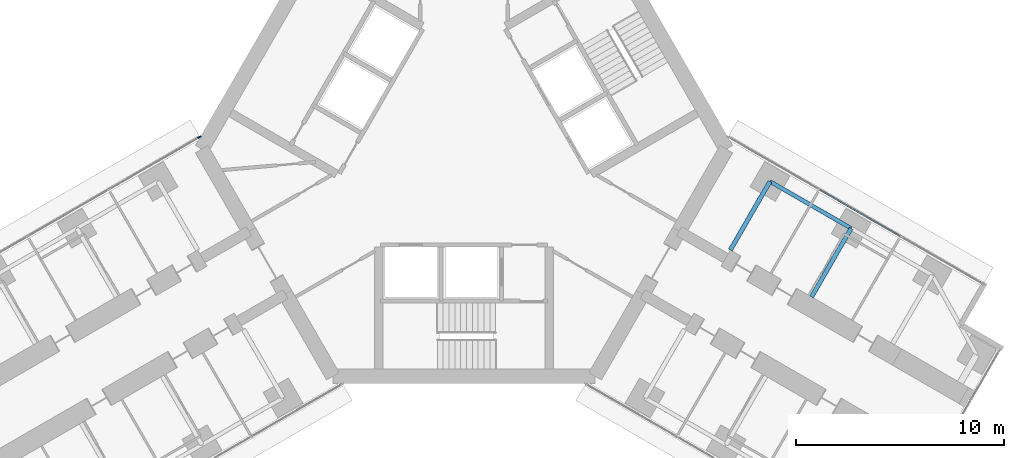
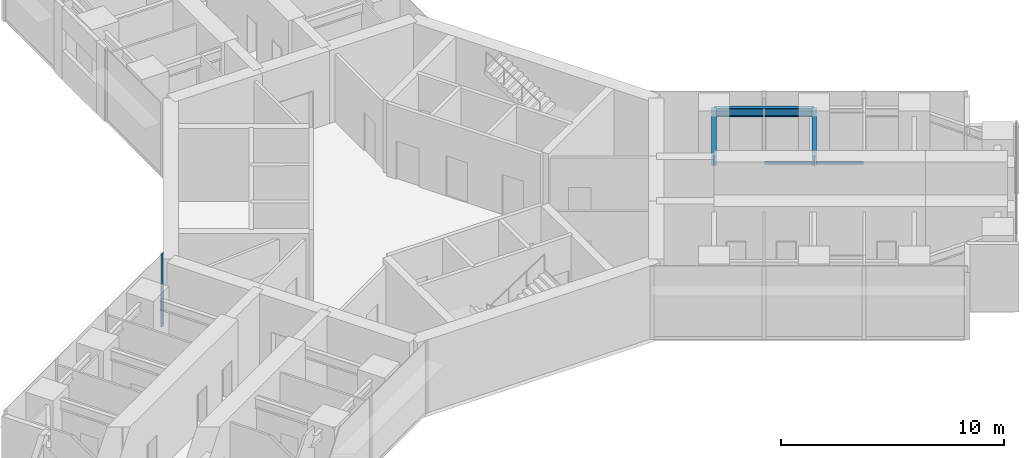
# One storey, part 10 of 25: 3 beams, 2 members, 2 elements without a shape of their own.
"""IFC4 building model written with IfcOpenShell, lengths in metres."""

from ifc_helpers import new_model, si_unit, direction, frame, origin, origin_2d, place, context, subcontext, project, spatial, rectangle, i_section, extrude, material, material_profile, profile_set, type_object, element, aggregate, save


model = new_model("IFC4")

# Units and contexts
model_context = context("Model", 3, precision=1e-05, world=origin(), true_north=direction((0.0, 1.0)))
body_context = subcontext(model_context, "Body", "Model", "MODEL_VIEW")
ifc_project = project(units=[si_unit("LENGTHUNIT", "METRE"), si_unit("AREAUNIT", "SQUARE_METRE"), si_unit("VOLUMEUNIT", "CUBIC_METRE"), si_unit("PLANEANGLEUNIT", "RADIAN"), si_unit("MASSUNIT", "GRAM", prefix="KILO")], contexts=[model_context])

# Site, building, storey
site_placement = place(None, origin())
site = spatial("IfcSite", under=ifc_project, at=site_placement, CompositionType="ELEMENT")
building_placement = place(site_placement, origin())
building = spatial("IfcBuilding", under=site, at=building_placement, Name="Upepo Twin Towers", CompositionType="ELEMENT")
storey_placement = place(building_placement, frame((0.0, 0.0, 88.5)))
storey = spatial("IfcBuildingStorey", under=building, at=storey_placement, Name="L21", CompositionType="ELEMENT", Elevation=88.5)

# Beams
ifc_material_1 = material(Name="Steel S355", Category="steel")
ifc_material_profile_1 = material_profile(ifc_material_1, i_section(OverallWidth=0.1904296875, OverallDepth=0.45703125, WebThickness=0.009033203125, FlangeThickness=0.014404296875, FilletRadius=0.01025390625, at=origin_2d()), Name="UB 457x191x74")
ifc_profile_set_1 = profile_set([ifc_material_profile_1], Name="Steel S355")
beam_type_1 = type_object("IfcBeamType", Name="Beam UB 457x191x74", PredefinedType="BEAM", material=ifc_profile_set_1)
beam_1_placement = place(storey_placement, frame((73.19140625, -19.553955078125, 3.471435546875), z_axis=(0.866017533419, -0.500013631625, 0.0), x_axis=(0.500013631625, 0.866017533419, 0.0)))
element("IfcBeam", 1, at=beam_1_placement, inside=storey, type_object=beam_type_1, Name="T2 edge beam CL 13.5-18.0", PredefinedType="BEAM", context=body_context, shape_type="SweptSolid", body=[
    extrude(i_section(OverallWidth=0.1904296875, OverallDepth=0.45703125, WebThickness=0.009033203125, FlangeThickness=0.014404296875, FilletRadius=0.01025390625, at=origin_2d()), origin(), (0.0, 0.0, 1.0), 4.499755859375),
])
ifc_material_2 = material(Name="Steel S355", Category="steel")
ifc_material_profile_2 = material_profile(ifc_material_2, i_section(OverallWidth=0.209228515625, OverallDepth=0.533203125, WebThickness=0.010009765625, FlangeThickness=0.015625, FilletRadius=0.0126953125, at=origin_2d()), Name="UB 533x210x92")
ifc_profile_set_2 = profile_set([ifc_material_profile_2], Name="Steel S355")
beam_type_2 = type_object("IfcBeamType", Name="Beam UB 533x210x92", PredefinedType="BEAM", material=ifc_profile_set_2)
beam_2_placement = place(storey_placement, frame((73.19140625, -19.553955078125, 3.433349609375), z_axis=(-0.500043160704, -0.866000483506, 0.0), x_axis=(0.866000483506, -0.500043160704, 0.0)))
element("IfcBeam", 2, at=beam_2_placement, inside=storey, type_object=beam_type_2, Name="T2 girder CL at 13.5", PredefinedType="BEAM", context=body_context, shape_type="SweptSolid", body=[
    extrude(i_section(OverallWidth=0.209228515625, OverallDepth=0.533203125, WebThickness=0.010009765625, FlangeThickness=0.015625, FilletRadius=0.0126953125, at=origin_2d()), origin(), (0.0, 0.0, 1.0), 3.800048828125),
])
beam_3_placement = place(storey_placement, frame((77.08837890625, -21.803955078125, 3.433349609375), z_axis=(-0.499994975061, -0.866028304915, 0.0), x_axis=(0.866028304915, -0.499994975061, 0.0)))
element("IfcBeam", 3, at=beam_3_placement, inside=storey, type_object=beam_type_2, Name="T2 girder CL at 18.0", PredefinedType="BEAM", context=body_context, shape_type="SweptSolid", body=[
    extrude(i_section(OverallWidth=0.209228515625, OverallDepth=0.533203125, WebThickness=0.010009765625, FlangeThickness=0.015625, FilletRadius=0.0126953125, at=origin_2d()), origin(), (0.0, 0.0, 1.0), 3.7998046875),
])

# Curtain wall, member
ifc_material_3 = material(Name="Aluminium and fritted glass", Category="aluminium")
curtain_wall_type = type_object("IfcCurtainWallType", Name="Tower curtain wall TW1, fritted glass", PredefinedType="NOTDEFINED", material=ifc_material_3)
curtain_wall_1_placement = place(storey_placement, origin())
curtain_wall_1 = element("IfcCurtainWall", 4, at=curtain_wall_1_placement, inside=storey, type_object=curtain_wall_type, Name="T2 L21 wing B flank R curtain wall", PredefinedType="NOTDEFINED")
ifc_material_4 = material(Name="Aluminium mullion", Category="aluminium")
ifc_material_profile_3 = material_profile(ifc_material_4, rectangle(XDim=0.06494140625, YDim=0.179931640625, at=origin_2d()), Name="MULLION 65x180")
ifc_profile_set_3 = profile_set([ifc_material_profile_3], Name="Aluminium mullion")
member_type_1 = type_object("IfcMemberType", Name="Mullion 65x180 TW1", PredefinedType="MULLION", material=ifc_profile_set_3)
member_1_placement = place(storey_placement, frame((45.79150390625, -17.427490234375, 0.0), z_axis=(0.0, 0.0, 1.0), x_axis=(-0.500000024426, 0.866025389682, 0.0)))
member_1 = element("IfcMember", 5, at=member_1_placement, type_object=member_type_1, Name="T2 L21 wing B flank R curtain wall mullion 4", PredefinedType="MULLION", context=body_context, shape_type="SweptSolid", body=[
    extrude(rectangle(XDim=0.06494140625, YDim=0.179931640625, at=origin_2d()), origin(), (0.0, 0.0, 1.0), 4.0),
])
aggregate(curtain_wall_1, [member_1])

curtain_wall_2_placement = place(storey_placement, origin())
curtain_wall_2 = element("IfcCurtainWall", 6, at=curtain_wall_2_placement, inside=storey, type_object=curtain_wall_type, Name="T2 L21 wing C flank L curtain wall", PredefinedType="NOTDEFINED")
ifc_material_5 = material(Name="Aluminium transom", Category="aluminium")
ifc_material_profile_4 = material_profile(ifc_material_5, rectangle(XDim=0.06494140625, YDim=0.14990234375, at=origin_2d()), Name="TRANSOM 65x150")
ifc_profile_set_4 = profile_set([ifc_material_profile_4], Name="Aluminium transom")
member_type_2 = type_object("IfcMemberType", Name="Transom 65x150 TW1", PredefinedType="USERDEFINED", material=ifc_profile_set_4)
member_2_placement = place(storey_placement, frame((75.593017578125, -19.958984375, 0.074951171875), z_axis=(0.866022410713, -0.500005184116, 0.0), x_axis=(0.500005184116, 0.866022410713, 0.0)))
member_2 = element("IfcMember", 7, at=member_2_placement, type_object=member_type_2, Name="T2 L21 wing C flank L curtain wall transom 2", ObjectType="TRANSOM", PredefinedType="USERDEFINED", context=body_context, shape_type="SweptSolid", body=[
    extrude(rectangle(XDim=0.06494140625, YDim=0.14990234375, at=origin_2d()), origin(), (0.0, 0.0, 1.0), 4.43505859375),
])
aggregate(curtain_wall_2, [member_2])

save(model, "model.ifc")
